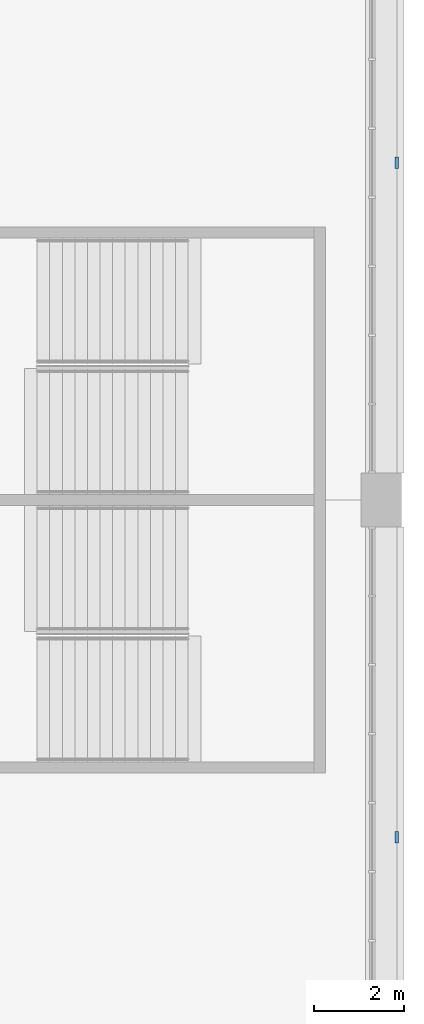
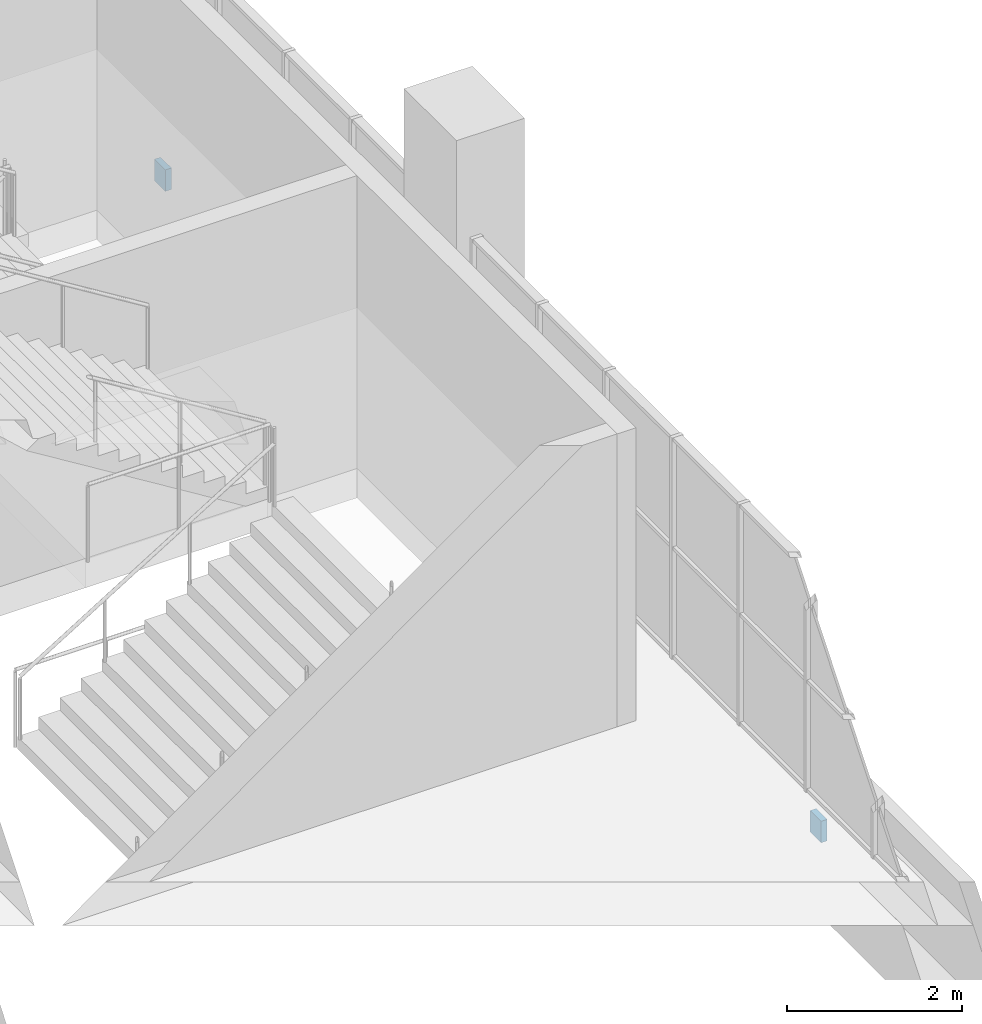
# One storey, part 81 of 177: 2 discrete accessories.
"""IFC4 building model written with IfcOpenShell, lengths in metres."""

from ifc_helpers import new_model, si_unit, direction, frame, origin, origin_2d, place, context, subcontext, project, spatial, rectangle, extrude, material, layer, layer_set, type_object, element, save


model = new_model("IFC4")

# Units and contexts
model_context = context("Model", 3, precision=1e-05, world=origin(), true_north=direction((0.0, 1.0)))
body_context = subcontext(model_context, "Body", "Model", "MODEL_VIEW")
ifc_project = project(units=[si_unit("LENGTHUNIT", "METRE"), si_unit("AREAUNIT", "SQUARE_METRE"), si_unit("VOLUMEUNIT", "CUBIC_METRE"), si_unit("PLANEANGLEUNIT", "RADIAN"), si_unit("MASSUNIT", "GRAM", prefix="KILO")], contexts=[model_context])

# Site, building, storey
site_placement = place(None, origin())
site = spatial("IfcSite", under=ifc_project, at=site_placement, CompositionType="ELEMENT")
building_placement = place(site_placement, origin())
building = spatial("IfcBuilding", under=site, at=building_placement, Name="Ogive Plaza Stadium", CompositionType="ELEMENT")
storey_placement = place(building_placement, frame((0.0, 0.0, 18.0)))
storey = spatial("IfcBuildingStorey", under=building, at=storey_placement, Name="L04", CompositionType="ELEMENT", Elevation=18.0)

# Discrete accessories
ifc_material = material(Name="Steel ASTM A572 Grade 50", Category="steel")
ifc_layer = layer(ifc_material, 0.080078125)
ifc_layer_set = layer_set([ifc_layer], Name="Steel ASTM A572 Grade 50")
discrete_accessory_type = type_object("IfcDiscreteAccessoryType", Name="Spandrel cladding bracket 250x300", PredefinedType="BRACKET", material=ifc_layer_set)
for number, where, z_axis, x_axis, name in (
    (1, (84.35009765625, 45.0, -1.31005859375), (0.0, 0.0, 1.0), (0.0, -1.0, 0.0), "SPANDREL BRACKET B01 L04"),
    (2, (84.35009765625, 30.0, -1.31005859375), (0.0, 0.0, 1.0), (0.0, -1.0, 0.0), "SPANDREL BRACKET B02 L04"),
):
    element("IfcDiscreteAccessory", number, at=place(storey_placement, frame(where, z_axis=z_axis, x_axis=x_axis)), inside=storey, type_object=discrete_accessory_type, Name=name, PredefinedType="BRACKET", context=body_context, shape_type="SweptSolid", body=[
        extrude(rectangle(XDim=0.25, YDim=0.080078125, at=origin_2d()), origin(), (0.0, 0.0, 1.0), 0.300048828125),
    ])

save(model, "model.ifc")
